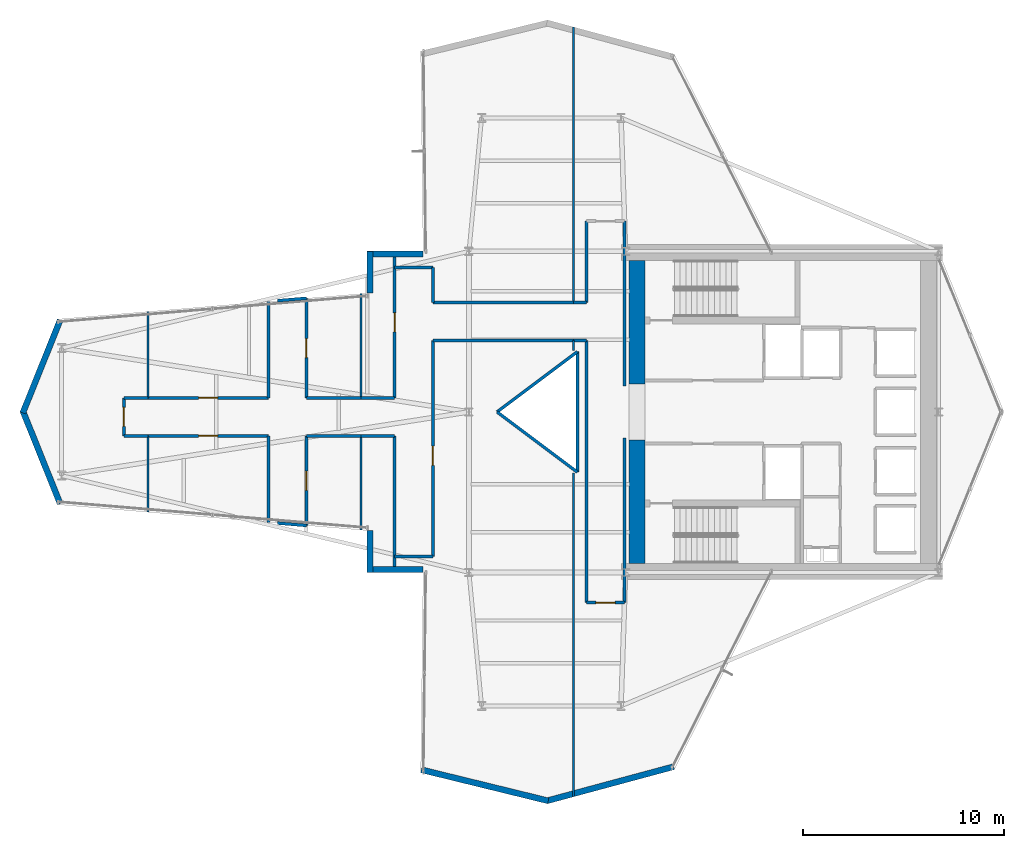
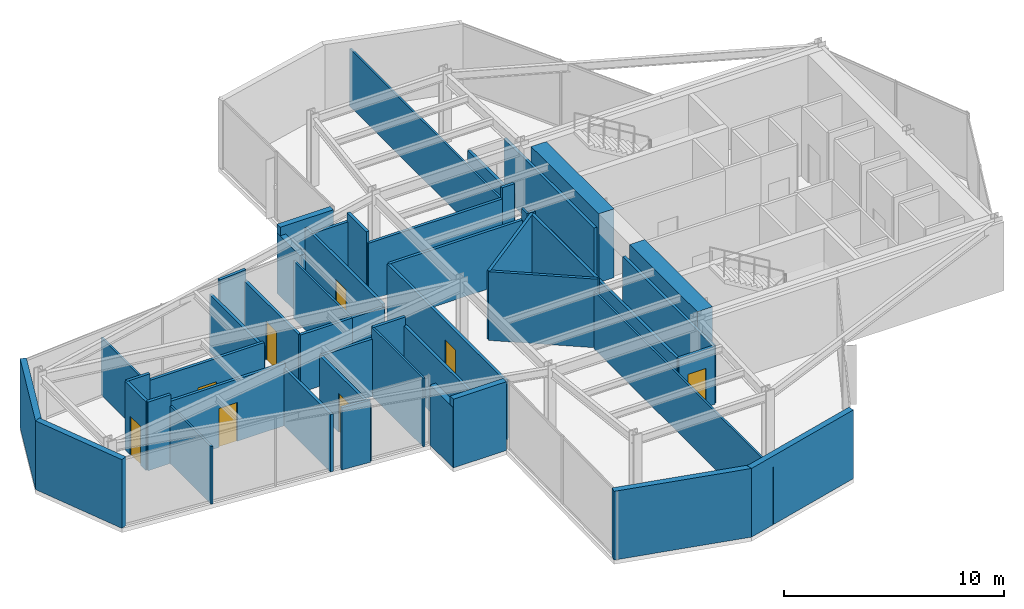
# One storey, part 22 of 25: 50 walls, 8 doors, 8 openings.
"""IFC4 building model written with IfcOpenShell, lengths in metres."""

from ifc_helpers import new_model, si_unit, direction, frame, frame_2d, origin, place, context, subcontext, project, spatial, rectangle, extrude, material, layer, layer_set, type_object, element, fill, save


model = new_model("IFC4")

# Units and contexts
model_context = context("Model", 3, precision=1e-05, world=origin(), true_north=direction((0.0, 1.0)))
body_context = subcontext(model_context, "Body", "Model", "MODEL_VIEW")
ifc_project = project(units=[si_unit("LENGTHUNIT", "METRE"), si_unit("AREAUNIT", "SQUARE_METRE"), si_unit("VOLUMEUNIT", "CUBIC_METRE"), si_unit("PLANEANGLEUNIT", "RADIAN"), si_unit("MASSUNIT", "GRAM", prefix="KILO")], contexts=[model_context])

# Site, building, storey
site_placement = place(None, origin())
site = spatial("IfcSite", under=ifc_project, at=site_placement, CompositionType="ELEMENT")
building_placement = place(site_placement, origin())
building = spatial("IfcBuilding", under=site, at=building_placement, Name="Veymaron Broadcast Tower", CompositionType="ELEMENT")
storey_placement = place(building_placement, frame((0.0, 0.0, 129.0)))
storey = spatial("IfcBuildingStorey", under=building, at=storey_placement, Name="L29", CompositionType="ELEMENT", Elevation=129.0)

# Walls
ifc_material_1 = material(Name="Precast concrete C40/50 with mineral-wool insulation", Category="concrete")
ifc_layer_1 = layer(ifc_material_1, 0.300048828125)
ifc_layer_set_1 = layer_set([ifc_layer_1], Name="Precast concrete C40/50 with mineral-wool insulation")
wall_type_1 = type_object("IfcWallType", Name="WALL-EXT-300", PredefinedType="STANDARD", material=ifc_layer_set_1)
wall_1_placement = place(storey_placement, frame((28.910400390625, 31.860107421875, 0.0), z_axis=(0.0, 0.0, 1.0), x_axis=(-1.0, 0.0, 0.0)))
element("IfcWall", 1, at=wall_1_placement, inside=storey, type_object=wall_type_1, Name="L29 notched corner facade pier 9-1", PredefinedType="STANDARD", context=body_context, shape_type="SweptSolid", body=[
    extrude(rectangle(XDim=2.790283203125, YDim=0.300048828125, at=frame_2d((1.39501953125, 0.0))), origin(), (0.0, 0.0, 1.0), 3.81005859375),
])
wall_2_placement = place(storey_placement, frame((26.260009765625, 32.0, 0.0), z_axis=(0.0, 0.0, 1.0), x_axis=(0.0, -1.0, 0.0)))
element("IfcWall", 2, at=wall_2_placement, inside=storey, type_object=wall_type_1, Name="L29 notched corner facade pier 10-1", PredefinedType="STANDARD", context=body_context, shape_type="SweptSolid", body=[
    extrude(rectangle(XDim=2.085693359375, YDim=0.300048828125, at=frame_2d((1.04296875, 0.0))), origin(), (0.0, 0.0, 1.0), 3.337890625),
])
for number, where, z_axis, x_axis, name in (
    (3, (10.829833984375, 28.56982421875, 0.0), (0.0, 0.0, 1.0), (-0.373299289804, -0.927710968045, 0.0), "L29 notched corner facade pier 12-1"),
    (4, (8.969970703125, 24.05224609375, 0.0), (0.0, 0.0, 1.0), (0.373299289804, -0.927710968045, 0.0), "L29 notched corner facade pier 13-1"),
):
    element("IfcWall", number, at=place(storey_placement, frame(where, z_axis=z_axis, x_axis=x_axis)), inside=storey, type_object=wall_type_1, Name=name, PredefinedType="STANDARD", context=body_context, shape_type="SweptSolid", body=[
        extrude(rectangle(XDim=4.982177734375, YDim=0.300048828125, at=frame_2d((2.4912109375, 0.0))), origin(), (0.0, 0.0, 1.0), 3.81005859375),
    ])
wall_3_placement = place(storey_placement, frame((26.260009765625, 18.085693359375, 0.0), z_axis=(0.0, 0.0, 1.0), x_axis=(0.0, -1.0, 0.0)))
element("IfcWall", 5, at=wall_3_placement, inside=storey, type_object=wall_type_1, Name="L29 notched corner facade pier 15-1", PredefinedType="STANDARD", context=body_context, shape_type="SweptSolid", body=[
    extrude(rectangle(XDim=2.085693359375, YDim=0.300048828125, at=frame_2d((1.04296875, 0.0))), origin(), (0.0, 0.0, 1.0), 3.337890625),
])
wall_4_placement = place(storey_placement, frame((26.1201171875, 16.139892578125, 0.0), z_axis=(0.0, 0.0, 1.0), x_axis=(1.0, 0.0, 0.0)))
element("IfcWall", 6, at=wall_4_placement, inside=storey, type_object=wall_type_1, Name="L29 notched corner facade pier 16-1", PredefinedType="STANDARD", context=body_context, shape_type="SweptSolid", body=[
    extrude(rectangle(XDim=2.790283203125, YDim=0.300048828125, at=frame_2d((1.39501953125, 0.0))), origin(), (0.0, 0.0, 1.0), 3.81005859375),
])
wall_5_placement = place(storey_placement, frame((28.8232421875, 6.1708984375, 0.0), z_axis=(0.0, 0.0, 1.0), x_axis=(0.971267606245, -0.23798999361, 0.0)))
element("IfcWall", 7, at=wall_5_placement, inside=storey, type_object=wall_type_1, Name="L29 notched corner facade pier 18-1", PredefinedType="STANDARD", context=body_context, shape_type="SweptSolid", body=[
    extrude(rectangle(XDim=6.511962890625, YDim=0.300048828125, at=frame_2d((3.255859375, 0.0))), origin(), (0.0, 0.0, 1.0), 3.81005859375),
])
wall_6_placement = place(storey_placement, frame((35.07861328125, 4.6201171875, 0.0), z_axis=(0.0, 0.0, 1.0), x_axis=(0.965531145086, 0.260287548434, 0.0)))
element("IfcWall", 8, at=wall_6_placement, inside=storey, type_object=wall_type_1, Name="L29 notched corner facade pier 19-1", PredefinedType="STANDARD", context=body_context, shape_type="SweptSolid", body=[
    extrude(rectangle(XDim=6.55078125, YDim=0.300048828125, at=frame_2d((3.275390625, 0.0))), origin(), (0.0, 0.0, 1.0), 3.81005859375),
])

# Wall, opening, door
ifc_material_2 = material(Name="Gypsum fireboard and steel stud framing", Category="steel")
ifc_layer_2 = layer(ifc_material_2, 0.14990234375)
ifc_layer_set_2 = layer_set([ifc_layer_2], Name="Gypsum fireboard and steel stud framing")
wall_type_2 = type_object("IfcWallType", Name="WALL-FIRE-150", PredefinedType="PARTITIONING", material=ifc_layer_set_2)
wall_7_placement = place(storey_placement, frame((37.050048828125, 14.5, 0.0), z_axis=(0.0, 0.0, 1.0), x_axis=(1.0, 0.0, 0.0)))
wall_7 = element("IfcWall", 9, at=wall_7_placement, inside=storey, type_object=wall_type_2, Name="L29 partition IW-L29-P03", PredefinedType="PARTITIONING", context=body_context, shape_type="SweptSolid", body=[
    extrude(rectangle(XDim=1.89990234375, YDim=0.14990234375, at=frame_2d((0.949951171875, 0.0))), origin(), (0.0, 0.0, 1.0), 3.18994140625),
])
opening_1_placement = place(wall_7_placement, frame((0.47509765625, 0.0, 0.0)))
opening_1 = element("IfcOpeningElement", 10, at=opening_1_placement, cuts=wall_7, Name="Opening ID-RM1", PredefinedType="OPENING", context=body_context, shape_type="SweptSolid", body=[
    extrude(rectangle(XDim=0.949951171875, YDim=2.14990234375, at=frame_2d((0.47509765625, 1.074951171875))), frame((0.0, 0.0849609375, 0.0), z_axis=(0.0, -1.0, 0.0), x_axis=(1.0, 0.0, 0.0)), (0.0, 0.0, 1.0), 0.169921875),
])
ifc_material_3 = material(Name="Acoustic solid-core European oak veneer timber", Category="wood")
door_type = type_object("IfcDoorType", Name="DOOR-INT-950", OperationType="NOTDEFINED", PredefinedType="DOOR", material=ifc_material_3)
door_1_placement = place(opening_1_placement, frame((0.949951171875, 0.0, 0.0), z_axis=(0.0, 0.0, 1.0), x_axis=(-1.0, 0.0, 0.0)))
door_1 = element("IfcDoor", 11, at=door_1_placement, inside=storey, type_object=door_type, Name="L29 door DR-L29-P03", OperationType="SINGLE_SWING_RIGHT", OverallHeight=2.14990234375, OverallWidth=0.949951171875, PredefinedType="DOOR", context=body_context, shape_type="SweptSolid", body=[
    extrude(rectangle(XDim=0.949951171875, YDim=2.14990234375, at=frame_2d((0.47509765625, 1.074951171875))), frame((0.0, 0.02490234375, 0.0), z_axis=(0.0, -1.0, 0.0), x_axis=(1.0, 0.0, 0.0)), (0.0, 0.0, 1.0), 0.050048828125),
])
fill(opening_1, door_1)

wall_8_placement = place(storey_placement, frame((29.39990234375, 16.800048828125, 0.0), z_axis=(0.0, 0.0, 1.0), x_axis=(0.0, 1.0, 0.0)))
wall_8 = element("IfcWall", 12, at=wall_8_placement, inside=storey, type_object=wall_type_2, Name="L29 partition IW-L29-P05", PredefinedType="PARTITIONING", context=body_context, shape_type="SweptSolid", body=[
    extrude(rectangle(XDim=10.75, YDim=0.14990234375, at=frame_2d((5.375, 0.0))), origin(), (0.0, 0.0, 1.0), 3.18994140625),
])
opening_2_placement = place(wall_8_placement, frame((4.5400390625, 0.0, 0.0)))
opening_2 = element("IfcOpeningElement", 13, at=opening_2_placement, cuts=wall_8, Name="Opening ID-RM1", PredefinedType="OPENING", context=body_context, shape_type="SweptSolid", body=[
    extrude(rectangle(XDim=0.949951171875, YDim=2.14990234375, at=frame_2d((0.47509765625, 1.074951171875))), frame((0.0, 0.0849609375, 0.0), z_axis=(0.0, -1.0, 0.0), x_axis=(1.0, 0.0, 0.0)), (0.0, 0.0, 1.0), 0.169921875),
])
door_2_placement = place(opening_2_placement, frame((0.949951171875, 0.0, 0.0), z_axis=(0.0, 0.0, 1.0), x_axis=(-1.0, 0.0, 0.0)))
door_2 = element("IfcDoor", 14, at=door_2_placement, inside=storey, type_object=door_type, Name="L29 door DR-L29-P05", OperationType="SINGLE_SWING_RIGHT", OverallHeight=2.14990234375, OverallWidth=0.949951171875, PredefinedType="DOOR", context=body_context, shape_type="SweptSolid", body=[
    extrude(rectangle(XDim=0.949951171875, YDim=2.14990234375, at=frame_2d((0.47509765625, 1.074951171875))), frame((0.0, 0.02490234375, 0.0), z_axis=(0.0, -1.0, 0.0), x_axis=(1.0, 0.0, 0.0)), (0.0, 0.0, 1.0), 0.050048828125),
])
fill(opening_2, door_2)

wall_9_placement = place(storey_placement, frame((23.10009765625, 18.3388671875, 0.0), z_axis=(0.0, 0.0, 1.0), x_axis=(0.0, 1.0, 0.0)))
wall_9 = element("IfcWall", 15, at=wall_9_placement, inside=storey, type_object=wall_type_2, Name="L29 partition IW-L29-P10", PredefinedType="PARTITIONING", context=body_context, shape_type="SweptSolid", body=[
    extrude(rectangle(XDim=4.461181640625, YDim=0.14990234375, at=frame_2d((2.23046875, 0.0))), origin(), (0.0, 0.0, 1.0), 3.18994140625),
])
opening_3_placement = place(wall_9_placement, frame((1.755615234375, 0.0, 0.0)))
opening_3 = element("IfcOpeningElement", 16, at=opening_3_placement, cuts=wall_9, Name="Opening ID-RM1", PredefinedType="OPENING", context=body_context, shape_type="SweptSolid", body=[
    extrude(rectangle(XDim=0.949951171875, YDim=2.14990234375, at=frame_2d((0.47509765625, 1.074951171875))), frame((0.0, 0.0849609375, 0.0), z_axis=(0.0, -1.0, 0.0), x_axis=(1.0, 0.0, 0.0)), (0.0, 0.0, 1.0), 0.169921875),
])
door_3_placement = place(opening_3_placement, frame((0.949951171875, 0.0, 0.0), z_axis=(0.0, 0.0, 1.0), x_axis=(-1.0, 0.0, 0.0)))
door_3 = element("IfcDoor", 17, at=door_3_placement, inside=storey, type_object=door_type, Name="L29 door DR-L29-P10", OperationType="SINGLE_SWING_LEFT", OverallHeight=2.14990234375, OverallWidth=0.949951171875, PredefinedType="DOOR", context=body_context, shape_type="SweptSolid", body=[
    extrude(rectangle(XDim=0.949951171875, YDim=2.14990234375, at=frame_2d((0.47509765625, 1.074951171875))), frame((0.0, 0.02490234375, 0.0), z_axis=(0.0, -1.0, 0.0), x_axis=(1.0, 0.0, 0.0)), (0.0, 0.0, 1.0), 0.050048828125),
])
fill(opening_3, door_3)

wall_10_placement = place(storey_placement, frame((15.2041015625, 22.800048828125, 0.0), z_axis=(0.0, 0.0, 1.0), x_axis=(1.0, 0.0, 0.0)))
wall_10 = element("IfcWall", 18, at=wall_10_placement, inside=storey, type_object=wall_type_2, Name="L29 partition IW-L29-P13", PredefinedType="PARTITIONING", context=body_context, shape_type="SweptSolid", body=[
    extrude(rectangle(XDim=5.995849609375, YDim=0.14990234375, at=frame_2d((2.998046875, 0.0))), origin(), (0.0, 0.0, 1.0), 3.443115234375),
])
opening_4_placement = place(wall_10_placement, frame((2.52294921875, 0.0, 0.0)))
opening_4 = element("IfcOpeningElement", 19, at=opening_4_placement, cuts=wall_10, Name="Opening ID-RM1", PredefinedType="OPENING", context=body_context, shape_type="SweptSolid", body=[
    extrude(rectangle(XDim=0.949951171875, YDim=2.14990234375, at=frame_2d((0.47509765625, 1.074951171875))), frame((0.0, 0.0849609375, 0.0), z_axis=(0.0, -1.0, 0.0), x_axis=(1.0, 0.0, 0.0)), (0.0, 0.0, 1.0), 0.169921875),
])
door_4_placement = place(opening_4_placement, frame((0.949951171875, 0.0, 0.0), z_axis=(0.0, 0.0, 1.0), x_axis=(-1.0, 0.0, 0.0)))
door_4 = element("IfcDoor", 20, at=door_4_placement, inside=storey, type_object=door_type, Name="L29 door DR-L29-P13", OperationType="SINGLE_SWING_RIGHT", OverallHeight=2.14990234375, OverallWidth=0.949951171875, PredefinedType="DOOR", context=body_context, shape_type="SweptSolid", body=[
    extrude(rectangle(XDim=0.949951171875, YDim=2.14990234375, at=frame_2d((0.47509765625, 1.074951171875))), frame((0.0, 0.02490234375, 0.0), z_axis=(0.0, -1.0, 0.0), x_axis=(1.0, 0.0, 0.0)), (0.0, 0.0, 1.0), 0.050048828125),
])
fill(opening_4, door_4)

wall_11_placement = place(storey_placement, frame((14.0, 22.800048828125, 0.0), z_axis=(0.0, 0.0, 1.0), x_axis=(0.0, 1.0, 0.0)))
wall_11 = element("IfcWall", 21, at=wall_11_placement, inside=storey, type_object=wall_type_2, Name="L29 partition IW-L29-P15", PredefinedType="PARTITIONING", context=body_context, shape_type="SweptSolid", body=[
    extrude(rectangle(XDim=1.89990234375, YDim=0.14990234375, at=frame_2d((0.949951171875, 0.0))), origin(), (0.0, 0.0, 1.0), 3.81005859375),
])
opening_5_placement = place(wall_11_placement, frame((0.47509765625, 0.0, 0.0)))
opening_5 = element("IfcOpeningElement", 22, at=opening_5_placement, cuts=wall_11, Name="Opening ID-RM1", PredefinedType="OPENING", context=body_context, shape_type="SweptSolid", body=[
    extrude(rectangle(XDim=0.949951171875, YDim=2.14990234375, at=frame_2d((0.47509765625, 1.074951171875))), frame((0.0, 0.0849609375, 0.0), z_axis=(0.0, -1.0, 0.0), x_axis=(1.0, 0.0, 0.0)), (0.0, 0.0, 1.0), 0.169921875),
])
door_5_placement = place(opening_5_placement, origin())
door_5 = element("IfcDoor", 23, at=door_5_placement, inside=storey, type_object=door_type, Name="L29 door DR-L29-P15", OperationType="SINGLE_SWING_RIGHT", OverallHeight=2.14990234375, OverallWidth=0.949951171875, PredefinedType="DOOR", context=body_context, shape_type="SweptSolid", body=[
    extrude(rectangle(XDim=0.949951171875, YDim=2.14990234375, at=frame_2d((0.47509765625, 1.074951171875))), frame((0.0, 0.02490234375, 0.0), z_axis=(0.0, -1.0, 0.0), x_axis=(1.0, 0.0, 0.0)), (0.0, 0.0, 1.0), 0.050048828125),
])
fill(opening_5, door_5)

wall_12_placement = place(storey_placement, frame((15.2041015625, 24.699951171875, 0.0), z_axis=(0.0, 0.0, 1.0), x_axis=(1.0, 0.0, 0.0)))
wall_12 = element("IfcWall", 24, at=wall_12_placement, inside=storey, type_object=wall_type_2, Name="L29 partition IW-L29-P18", PredefinedType="PARTITIONING", context=body_context, shape_type="SweptSolid", body=[
    extrude(rectangle(XDim=5.995849609375, YDim=0.14990234375, at=frame_2d((2.998046875, 0.0))), origin(), (0.0, 0.0, 1.0), 3.443115234375),
])
opening_6_placement = place(wall_12_placement, frame((2.52294921875, 0.0, 0.0)))
opening_6 = element("IfcOpeningElement", 25, at=opening_6_placement, cuts=wall_12, Name="Opening ID-RM1", PredefinedType="OPENING", context=body_context, shape_type="SweptSolid", body=[
    extrude(rectangle(XDim=0.949951171875, YDim=2.14990234375, at=frame_2d((0.47509765625, 1.074951171875))), frame((0.0, 0.0849609375, 0.0), z_axis=(0.0, -1.0, 0.0), x_axis=(1.0, 0.0, 0.0)), (0.0, 0.0, 1.0), 0.169921875),
])
door_6_placement = place(opening_6_placement, origin())
door_6 = element("IfcDoor", 26, at=door_6_placement, inside=storey, type_object=door_type, Name="L29 door DR-L29-P18", OperationType="SINGLE_SWING_LEFT", OverallHeight=2.14990234375, OverallWidth=0.949951171875, PredefinedType="DOOR", context=body_context, shape_type="SweptSolid", body=[
    extrude(rectangle(XDim=0.949951171875, YDim=2.14990234375, at=frame_2d((0.47509765625, 1.074951171875))), frame((0.0, 0.02490234375, 0.0), z_axis=(0.0, -1.0, 0.0), x_axis=(1.0, 0.0, 0.0)), (0.0, 0.0, 1.0), 0.050048828125),
])
fill(opening_6, door_6)

wall_13_placement = place(storey_placement, frame((23.10009765625, 24.699951171875, 0.0), z_axis=(0.0, 0.0, 1.0), x_axis=(0.0, 1.0, 0.0)))
wall_13 = element("IfcWall", 27, at=wall_13_placement, inside=storey, type_object=wall_type_2, Name="L29 partition IW-L29-P20", PredefinedType="PARTITIONING", context=body_context, shape_type="SweptSolid", body=[
    extrude(rectangle(XDim=4.961181640625, YDim=0.14990234375, at=frame_2d((2.48046875, 0.0))), origin(), (0.0, 0.0, 1.0), 3.18994140625),
])
opening_7_placement = place(wall_13_placement, frame((2.005615234375, 0.0, 0.0)))
opening_7 = element("IfcOpeningElement", 28, at=opening_7_placement, cuts=wall_13, Name="Opening ID-RM1", PredefinedType="OPENING", context=body_context, shape_type="SweptSolid", body=[
    extrude(rectangle(XDim=0.949951171875, YDim=2.14990234375, at=frame_2d((0.47509765625, 1.074951171875))), frame((0.0, 0.0849609375, 0.0), z_axis=(0.0, -1.0, 0.0), x_axis=(1.0, 0.0, 0.0)), (0.0, 0.0, 1.0), 0.169921875),
])
door_7_placement = place(opening_7_placement, frame((0.949951171875, 0.0, 0.0), z_axis=(0.0, 0.0, 1.0), x_axis=(-1.0, 0.0, 0.0)))
door_7 = element("IfcDoor", 29, at=door_7_placement, inside=storey, type_object=door_type, Name="L29 door DR-L29-P20", OperationType="SINGLE_SWING_LEFT", OverallHeight=2.14990234375, OverallWidth=0.949951171875, PredefinedType="DOOR", context=body_context, shape_type="SweptSolid", body=[
    extrude(rectangle(XDim=0.949951171875, YDim=2.14990234375, at=frame_2d((0.47509765625, 1.074951171875))), frame((0.0, 0.02490234375, 0.0), z_axis=(0.0, -1.0, 0.0), x_axis=(1.0, 0.0, 0.0)), (0.0, 0.0, 1.0), 0.050048828125),
])
fill(opening_7, door_7)

wall_14_placement = place(storey_placement, frame((27.5, 24.699951171875, 0.0), z_axis=(0.0, 0.0, 1.0), x_axis=(0.0, 1.0, 0.0)))
wall_14 = element("IfcWall", 30, at=wall_14_placement, inside=storey, type_object=wall_type_2, Name="L29 partition IW-L29-P23", PredefinedType="PARTITIONING", context=body_context, shape_type="SweptSolid", body=[
    extrude(rectangle(XDim=7.16015625, YDim=0.14990234375, at=frame_2d((3.580078125, 0.0))), origin(), (0.0, 0.0, 1.0), 3.337890625),
])
opening_8_placement = place(wall_14_placement, frame((3.284912109375, 0.0, 0.0)))
opening_8 = element("IfcOpeningElement", 31, at=opening_8_placement, cuts=wall_14, Name="Opening ID-RM1", PredefinedType="OPENING", context=body_context, shape_type="SweptSolid", body=[
    extrude(rectangle(XDim=0.949951171875, YDim=2.14990234375, at=frame_2d((0.47509765625, 1.074951171875))), frame((0.0, 0.0849609375, 0.0), z_axis=(0.0, -1.0, 0.0), x_axis=(1.0, 0.0, 0.0)), (0.0, 0.0, 1.0), 0.169921875),
])
door_8_placement = place(opening_8_placement, origin())
door_8 = element("IfcDoor", 32, at=door_8_placement, inside=storey, type_object=door_type, Name="L29 door DR-L29-P23", OperationType="SINGLE_SWING_RIGHT", OverallHeight=2.14990234375, OverallWidth=0.949951171875, PredefinedType="DOOR", context=body_context, shape_type="SweptSolid", body=[
    extrude(rectangle(XDim=0.949951171875, YDim=2.14990234375, at=frame_2d((0.47509765625, 1.074951171875))), frame((0.0, 0.02490234375, 0.0), z_axis=(0.0, -1.0, 0.0), x_axis=(1.0, 0.0, 0.0)), (0.0, 0.0, 1.0), 0.050048828125),
])
fill(opening_8, door_8)

# Walls
wall_15_placement = place(storey_placement, frame((37.050048828125, 14.5, 0.0), z_axis=(0.0, 0.0, 1.0), x_axis=(0.0, 1.0, 0.0)))
element("IfcWall", 33, at=wall_15_placement, inside=storey, type_object=wall_type_2, Name="L29 partition IW-L29-P01", PredefinedType="PARTITIONING", context=body_context, shape_type="SweptSolid", body=[
    extrude(rectangle(XDim=13.050048828125, YDim=0.14990234375, at=frame_2d((6.52490234375, 0.0))), origin(), (0.0, 0.0, 1.0), 3.18994140625),
])
wall_16_placement = place(storey_placement, frame((38.949951171875, 14.5, 0.0), z_axis=(0.0, 0.0, 1.0), x_axis=(0.0, 1.0, 0.0)))
element("IfcWall", 34, at=wall_16_placement, inside=storey, type_object=wall_type_2, Name="L29 partition IW-L29-P02", PredefinedType="PARTITIONING", context=body_context, shape_type="SweptSolid", body=[
    extrude(rectangle(XDim=8.199951171875, YDim=0.14990234375, at=frame_2d((4.10009765625, 0.0))), origin(), (0.0, 0.0, 1.0), 3.18994140625),
])
wall_17_placement = place(storey_placement, frame((36.416015625, 27.550048828125, 0.0), z_axis=(0.0, 0.0, 1.0), x_axis=(1.0, 0.0, 0.0)))
element("IfcWall", 35, at=wall_17_placement, inside=storey, type_object=wall_type_2, Name="L29 partition IW-L29-P04", PredefinedType="PARTITIONING", context=body_context, shape_type="SweptSolid", body=[
    extrude(rectangle(XDim=0.634033203125, YDim=0.14990234375, at=frame_2d((0.31689453125, 0.0))), origin(), (0.0, 0.0, 1.0), 3.443115234375),
])
wall_18_placement = place(storey_placement, frame((29.39990234375, 27.550048828125, 0.0), z_axis=(0.0, 0.0, 1.0), x_axis=(1.0, 0.0, 0.0)))
element("IfcWall", 36, at=wall_18_placement, inside=storey, type_object=wall_type_2, Name="L29 partition IW-L29-P06", PredefinedType="PARTITIONING", context=body_context, shape_type="SweptSolid", body=[
    extrude(rectangle(XDim=7.01611328125, YDim=0.14990234375, at=frame_2d((3.508056640625, 0.0))), origin(), (0.0, 0.0, 1.0), 3.18994140625),
])
wall_19_placement = place(storey_placement, frame((27.5, 16.139892578125, 0.0), z_axis=(0.0, 0.0, 1.0), x_axis=(0.0, 1.0, 0.0)))
element("IfcWall", 37, at=wall_19_placement, inside=storey, type_object=wall_type_2, Name="L29 partition IW-L29-P07", PredefinedType="PARTITIONING", context=body_context, shape_type="SweptSolid", body=[
    extrude(rectangle(XDim=6.66015625, YDim=0.14990234375, at=frame_2d((3.330078125, 0.0))), origin(), (0.0, 0.0, 1.0), 3.337890625),
])
wall_20_placement = place(storey_placement, frame((27.5, 16.800048828125, 0.0), z_axis=(0.0, 0.0, 1.0), x_axis=(1.0, 0.0, 0.0)))
element("IfcWall", 38, at=wall_20_placement, inside=storey, type_object=wall_type_2, Name="L29 partition IW-L29-P08", PredefinedType="PARTITIONING", context=body_context, shape_type="SweptSolid", body=[
    extrude(rectangle(XDim=1.89990234375, YDim=0.14990234375, at=frame_2d((0.949951171875, 0.0))), origin(), (0.0, 0.0, 1.0), 3.337890625),
])
wall_21_placement = place(storey_placement, frame((25.81005859375, 22.800048828125, 0.0), z_axis=(0.0, 0.0, 1.0), x_axis=(1.0, 0.0, 0.0)))
element("IfcWall", 39, at=wall_21_placement, inside=storey, type_object=wall_type_2, Name="L29 partition IW-L29-P09", PredefinedType="PARTITIONING", context=body_context, shape_type="SweptSolid", body=[
    extrude(rectangle(XDim=1.68994140625, YDim=0.14990234375, at=frame_2d((0.844970703125, 0.0))), origin(), (0.0, 0.0, 1.0), 3.81005859375),
])
wall_22_placement = place(storey_placement, frame((23.10009765625, 22.800048828125, 0.0), z_axis=(0.0, 0.0, 1.0), x_axis=(1.0, 0.0, 0.0)))
element("IfcWall", 40, at=wall_22_placement, inside=storey, type_object=wall_type_2, Name="L29 partition IW-L29-P11", PredefinedType="PARTITIONING", context=body_context, shape_type="SweptSolid", body=[
    extrude(rectangle(XDim=2.7099609375, YDim=0.14990234375, at=frame_2d((1.35498046875, 0.0))), origin(), (0.0, 0.0, 1.0), 3.18994140625),
])
wall_23_placement = place(storey_placement, frame((21.65966796875, 18.459716796875, 0.0), z_axis=(0.0, 0.0, 1.0), x_axis=(0.996499008811, -0.083604577858, 0.0)))
element("IfcWall", 41, at=wall_23_placement, inside=storey, type_object=wall_type_2, Name="L29 partition IW-L29-P12", PredefinedType="PARTITIONING", context=body_context, shape_type="SweptSolid", body=[
    extrude(rectangle(XDim=1.445556640625, YDim=0.14990234375, at=frame_2d((0.72265625, 0.0))), origin(), (0.0, 0.0, 1.0), 3.443115234375),
])
wall_24_placement = place(storey_placement, frame((21.199951171875, 18.498046875, 0.0), z_axis=(0.0, 0.0, 1.0), x_axis=(0.0, 1.0, 0.0)))
element("IfcWall", 42, at=wall_24_placement, inside=storey, type_object=wall_type_2, Name="L29 partition IW-L29-P14", PredefinedType="PARTITIONING", context=body_context, shape_type="SweptSolid", body=[
    extrude(rectangle(XDim=4.302001953125, YDim=0.14990234375, at=frame_2d((2.15087890625, 0.0))), origin(), (0.0, 0.0, 1.0), 3.18994140625),
])
for number, where, z_axis, x_axis, name in (
    (43, (14.0, 22.800048828125, 0.0), (0.0, 0.0, 1.0), (1.0, 0.0, 0.0), "L29 partition IW-L29-P16"),
    (44, (14.0, 24.699951171875, 0.0), (0.0, 0.0, 1.0), (1.0, 0.0, 0.0), "L29 partition IW-L29-P17"),
):
    element("IfcWall", number, at=place(storey_placement, frame(where, z_axis=z_axis, x_axis=x_axis)), inside=storey, type_object=wall_type_2, Name=name, PredefinedType="PARTITIONING", context=body_context, shape_type="SweptSolid", body=[
        extrude(rectangle(XDim=1.2041015625, YDim=0.14990234375, at=frame_2d((0.60205078125, 0.0))), origin(), (0.0, 0.0, 1.0), 3.81005859375),
    ])
wall_25_placement = place(storey_placement, frame((21.199951171875, 24.699951171875, 0.0), z_axis=(0.0, 0.0, 1.0), x_axis=(0.0, 1.0, 0.0)))
element("IfcWall", 45, at=wall_25_placement, inside=storey, type_object=wall_type_2, Name="L29 partition IW-L29-P19", PredefinedType="PARTITIONING", context=body_context, shape_type="SweptSolid", body=[
    extrude(rectangle(XDim=4.802001953125, YDim=0.14990234375, at=frame_2d((2.40087890625, 0.0))), origin(), (0.0, 0.0, 1.0), 3.18994140625),
])
wall_26_placement = place(storey_placement, frame((23.10009765625, 24.699951171875, 0.0), z_axis=(0.0, 0.0, 1.0), x_axis=(1.0, 0.0, 0.0)))
element("IfcWall", 46, at=wall_26_placement, inside=storey, type_object=wall_type_2, Name="L29 partition IW-L29-P21", PredefinedType="PARTITIONING", context=body_context, shape_type="SweptSolid", body=[
    extrude(rectangle(XDim=2.7099609375, YDim=0.14990234375, at=frame_2d((1.35498046875, 0.0))), origin(), (0.0, 0.0, 1.0), 3.18994140625),
])
wall_27_placement = place(storey_placement, frame((21.65966796875, 29.540283203125, 0.0), z_axis=(0.0, 0.0, 1.0), x_axis=(0.996499008811, 0.083604577858, 0.0)))
element("IfcWall", 47, at=wall_27_placement, inside=storey, type_object=wall_type_2, Name="L29 partition IW-L29-P22", PredefinedType="PARTITIONING", context=body_context, shape_type="SweptSolid", body=[
    extrude(rectangle(XDim=1.445556640625, YDim=0.14990234375, at=frame_2d((0.72265625, 0.0))), origin(), (0.0, 0.0, 1.0), 3.81005859375),
])
wall_28_placement = place(storey_placement, frame((29.39990234375, 29.449951171875, 0.0), z_axis=(0.0, 0.0, 1.0), x_axis=(1.0, 0.0, 0.0)))
element("IfcWall", 48, at=wall_28_placement, inside=storey, type_object=wall_type_2, Name="L29 partition IW-L29-P24", PredefinedType="PARTITIONING", context=body_context, shape_type="SweptSolid", body=[
    extrude(rectangle(XDim=7.01611328125, YDim=0.14990234375, at=frame_2d((3.508056640625, 0.0))), origin(), (0.0, 0.0, 1.0), 3.18994140625),
])
wall_29_placement = place(storey_placement, frame((27.5, 31.199951171875, 0.0), z_axis=(0.0, 0.0, 1.0), x_axis=(1.0, 0.0, 0.0)))
element("IfcWall", 49, at=wall_29_placement, inside=storey, type_object=wall_type_2, Name="L29 partition IW-L29-P25", PredefinedType="PARTITIONING", context=body_context, shape_type="SweptSolid", body=[
    extrude(rectangle(XDim=1.89990234375, YDim=0.14990234375, at=frame_2d((0.949951171875, 0.0))), origin(), (0.0, 0.0, 1.0), 3.337890625),
])
wall_30_placement = place(storey_placement, frame((29.39990234375, 29.449951171875, 0.0), z_axis=(0.0, 0.0, 1.0), x_axis=(0.0, 1.0, 0.0)))
element("IfcWall", 50, at=wall_30_placement, inside=storey, type_object=wall_type_2, Name="L29 partition IW-L29-P26", PredefinedType="PARTITIONING", context=body_context, shape_type="SweptSolid", body=[
    extrude(rectangle(XDim=1.75, YDim=0.14990234375, at=frame_2d((0.875, 0.0))), origin(), (0.0, 0.0, 1.0), 3.81005859375),
])
wall_31_placement = place(storey_placement, frame((25.81005859375, 24.699951171875, 0.0), z_axis=(0.0, 0.0, 1.0), x_axis=(1.0, 0.0, 0.0)))
element("IfcWall", 51, at=wall_31_placement, inside=storey, type_object=wall_type_2, Name="L29 partition IW-L29-P27", PredefinedType="PARTITIONING", context=body_context, shape_type="SweptSolid", body=[
    extrude(rectangle(XDim=1.68994140625, YDim=0.14990234375, at=frame_2d((0.844970703125, 0.0))), origin(), (0.0, 0.0, 1.0), 3.18994140625),
])
wall_32_placement = place(storey_placement, frame((38.949951171875, 25.300048828125, 0.0), z_axis=(0.0, 0.0, 1.0), x_axis=(0.0, 1.0, 0.0)))
element("IfcWall", 52, at=wall_32_placement, inside=storey, type_object=wall_type_2, Name="L29 partition IW-L29-P28", PredefinedType="PARTITIONING", context=body_context, shape_type="SweptSolid", body=[
    extrude(rectangle(XDim=8.199951171875, YDim=0.14990234375, at=frame_2d((4.10009765625, 0.0))), origin(), (0.0, 0.0, 1.0), 3.18994140625),
])
wall_33_placement = place(storey_placement, frame((37.050048828125, 29.449951171875, 0.0), z_axis=(0.0, 0.0, 1.0), x_axis=(0.0, 1.0, 0.0)))
element("IfcWall", 53, at=wall_33_placement, inside=storey, type_object=wall_type_2, Name="L29 partition IW-L29-P29", PredefinedType="PARTITIONING", context=body_context, shape_type="SweptSolid", body=[
    extrude(rectangle(XDim=4.050048828125, YDim=0.14990234375, at=frame_2d((2.02490234375, 0.0))), origin(), (0.0, 0.0, 1.0), 3.18994140625),
])
wall_34_placement = place(storey_placement, frame((36.416015625, 29.449951171875, 0.0), z_axis=(0.0, 0.0, 1.0), x_axis=(1.0, 0.0, 0.0)))
element("IfcWall", 54, at=wall_34_placement, inside=storey, type_object=wall_type_2, Name="L29 partition IW-L29-P31", PredefinedType="PARTITIONING", context=body_context, shape_type="SweptSolid", body=[
    extrude(rectangle(XDim=0.634033203125, YDim=0.14990234375, at=frame_2d((0.31689453125, 0.0))), origin(), (0.0, 0.0, 1.0), 3.81005859375),
])
ifc_material_4 = material(Name="Fire-rated laminated glass in aluminium frame", Category="aluminium")
ifc_layer_3 = layer(ifc_material_4, 0.14990234375)
ifc_layer_set_3 = layer_set([ifc_layer_3], Name="Fire-rated laminated glass in aluminium frame")
wall_type_3 = type_object("IfcWallType", Name="WALL-GLZ-150", PredefinedType="MOVABLE", material=ifc_layer_set_3)
wall_35_placement = place(storey_placement, frame((32.60009765625, 24.0, 0.0), z_axis=(0.0, 0.0, 1.0), x_axis=(0.8, -0.6, 0.0)))
element("IfcWall", 55, at=wall_35_placement, inside=storey, type_object=wall_type_3, Name="L29 partition IW-L29-ATR1", PredefinedType="MOVABLE", context=body_context, shape_type="SweptSolid", body=[
    extrude(rectangle(XDim=5.0, YDim=0.14990234375, at=frame_2d((2.5, 0.0))), origin(), (0.0, 0.0, 1.0), 3.81005859375),
])
wall_36_placement = place(storey_placement, frame((36.60009765625, 21.0, 0.0), z_axis=(0.0, 0.0, 1.0), x_axis=(0.0, 1.0, 0.0)))
element("IfcWall", 56, at=wall_36_placement, inside=storey, type_object=wall_type_3, Name="L29 partition IW-L29-ATR2", PredefinedType="MOVABLE", context=body_context, shape_type="SweptSolid", body=[
    extrude(rectangle(XDim=6.0, YDim=0.14990234375, at=frame_2d((3.0, 0.0))), origin(), (0.0, 0.0, 1.0), 3.81005859375),
])
wall_37_placement = place(storey_placement, frame((36.60009765625, 27.0, 0.0), z_axis=(0.0, 0.0, 1.0), x_axis=(-0.8, -0.6, 0.0)))
element("IfcWall", 57, at=wall_37_placement, inside=storey, type_object=wall_type_3, Name="L29 partition IW-L29-ATR3", PredefinedType="MOVABLE", context=body_context, shape_type="SweptSolid", body=[
    extrude(rectangle(XDim=5.0, YDim=0.14990234375, at=frame_2d((2.5, 0.0))), origin(), (0.0, 0.0, 1.0), 3.81005859375),
])
ifc_material_5 = material(Name="Acoustic gypsum board and galvanized stud", Category="gypsum")
ifc_layer_4 = layer(ifc_material_5, 0.10009765625)
ifc_layer_set_4 = layer_set([ifc_layer_4], Name="Acoustic gypsum board and galvanized stud")
wall_type_4 = type_object("IfcWallType", Name="WALL-PART-100", PredefinedType="PARTITIONING", material=ifc_layer_set_4)
wall_38_placement = place(storey_placement, frame((36.416015625, 4.835693359375, 0.0), z_axis=(0.0, 0.0, 1.0), x_axis=(0.0, 1.0, 0.0)))
element("IfcWall", 58, at=wall_38_placement, inside=storey, type_object=wall_type_4, Name="L29 partition IW-L29-P32", PredefinedType="PARTITIONING", context=body_context, shape_type="SweptSolid", body=[
    extrude(rectangle(XDim=16.11474609375, YDim=0.10009765625, at=frame_2d((8.057373046875, 0.0))), origin(), (0.0, 0.0, 1.0), 3.18994140625),
])
wall_39_placement = place(storey_placement, frame((36.416015625, 27.049560546875, 0.0), z_axis=(0.0, 0.0, 1.0), x_axis=(0.0, 1.0, 0.0)))
element("IfcWall", 59, at=wall_39_placement, inside=storey, type_object=wall_type_4, Name="L29 partition IW-L29-P33", PredefinedType="PARTITIONING", context=body_context, shape_type="SweptSolid", body=[
    extrude(rectangle(XDim=0.50048828125, YDim=0.10009765625, at=frame_2d((0.250244140625, 0.0))), origin(), (0.0, 0.0, 1.0), 3.81005859375),
])
wall_40_placement = place(storey_placement, frame((25.81005859375, 18.11181640625, 0.0), z_axis=(0.0, 0.0, 1.0), x_axis=(0.0, 1.0, 0.0)))
element("IfcWall", 60, at=wall_40_placement, inside=storey, type_object=wall_type_4, Name="L29 partition IW-L29-P34", PredefinedType="PARTITIONING", context=body_context, shape_type="SweptSolid", body=[
    extrude(rectangle(XDim=4.688232421875, YDim=0.10009765625, at=frame_2d((2.34423828125, 0.0))), origin(), (0.0, 0.0, 1.0), 3.81005859375),
])
wall_41_placement = place(storey_placement, frame((15.2041015625, 19.00048828125, 0.0), z_axis=(0.0, 0.0, 1.0), x_axis=(0.0, 1.0, 0.0)))
element("IfcWall", 61, at=wall_41_placement, inside=storey, type_object=wall_type_4, Name="L29 partition IW-L29-P35", PredefinedType="PARTITIONING", context=body_context, shape_type="SweptSolid", body=[
    extrude(rectangle(XDim=3.799560546875, YDim=0.10009765625, at=frame_2d((1.89990234375, 0.0))), origin(), (0.0, 0.0, 1.0), 3.18994140625),
])
wall_42_placement = place(storey_placement, frame((15.2041015625, 24.699951171875, 0.0), z_axis=(0.0, 0.0, 1.0), x_axis=(0.0, 1.0, 0.0)))
element("IfcWall", 62, at=wall_42_placement, inside=storey, type_object=wall_type_4, Name="L29 partition IW-L29-P36", PredefinedType="PARTITIONING", context=body_context, shape_type="SweptSolid", body=[
    extrude(rectangle(XDim=4.299560546875, YDim=0.10009765625, at=frame_2d((2.14990234375, 0.0))), origin(), (0.0, 0.0, 1.0), 3.18994140625),
])
wall_43_placement = place(storey_placement, frame((25.81005859375, 24.699951171875, 0.0), z_axis=(0.0, 0.0, 1.0), x_axis=(0.0, 1.0, 0.0)))
element("IfcWall", 63, at=wall_43_placement, inside=storey, type_object=wall_type_4, Name="L29 partition IW-L29-P37", PredefinedType="PARTITIONING", context=body_context, shape_type="SweptSolid", body=[
    extrude(rectangle(XDim=5.188232421875, YDim=0.10009765625, at=frame_2d((2.59423828125, 0.0))), origin(), (0.0, 0.0, 1.0), 3.18994140625),
])
wall_44_placement = place(storey_placement, frame((36.416015625, 29.449951171875, 0.0), z_axis=(0.0, 0.0, 1.0), x_axis=(0.0, 1.0, 0.0)))
element("IfcWall", 64, at=wall_44_placement, inside=storey, type_object=wall_type_4, Name="L29 partition IW-L29-P38", PredefinedType="PARTITIONING", context=body_context, shape_type="SweptSolid", body=[
    extrude(rectangle(XDim=13.71435546875, YDim=0.10009765625, at=frame_2d((6.857177734375, 0.0))), origin(), (0.0, 0.0, 1.0), 3.18994140625),
])
ifc_material_6 = material(Name="Concrete C60/75", Category="concrete")
ifc_layer_5 = layer(ifc_material_6, 0.800048828125)
ifc_layer_set_5 = layer_set([ifc_layer_5], Name="Concrete C60/75")
wall_type_5 = type_object("IfcWallType", Name="WALL-SHEAR-800", PredefinedType="SHEAR", material=ifc_layer_set_5)
for number, where, z_axis, x_axis, name in (
    (65, (39.580078125, 16.449951171875, 0.0), (0.0, 0.0, 1.0), (0.0, 1.0, 0.0), "L29 Core Wall west-south shear"),
    (66, (39.580078125, 25.39990234375, 0.0), (0.0, 0.0, 1.0), (0.0, 1.0, 0.0), "L29 Core Wall west-north shear"),
):
    element("IfcWall", number, at=place(storey_placement, frame(where, z_axis=z_axis, x_axis=x_axis)), inside=storey, type_object=wall_type_5, Name=name, PredefinedType="SHEAR", context=body_context, shape_type="SweptSolid", body=[
        extrude(rectangle(XDim=6.150146484375, YDim=0.800048828125, at=frame_2d((3.0751953125, 0.0))), origin(), (0.0, 0.0, 1.0), 3.81005859375),
    ])

save(model, "model.ifc")
